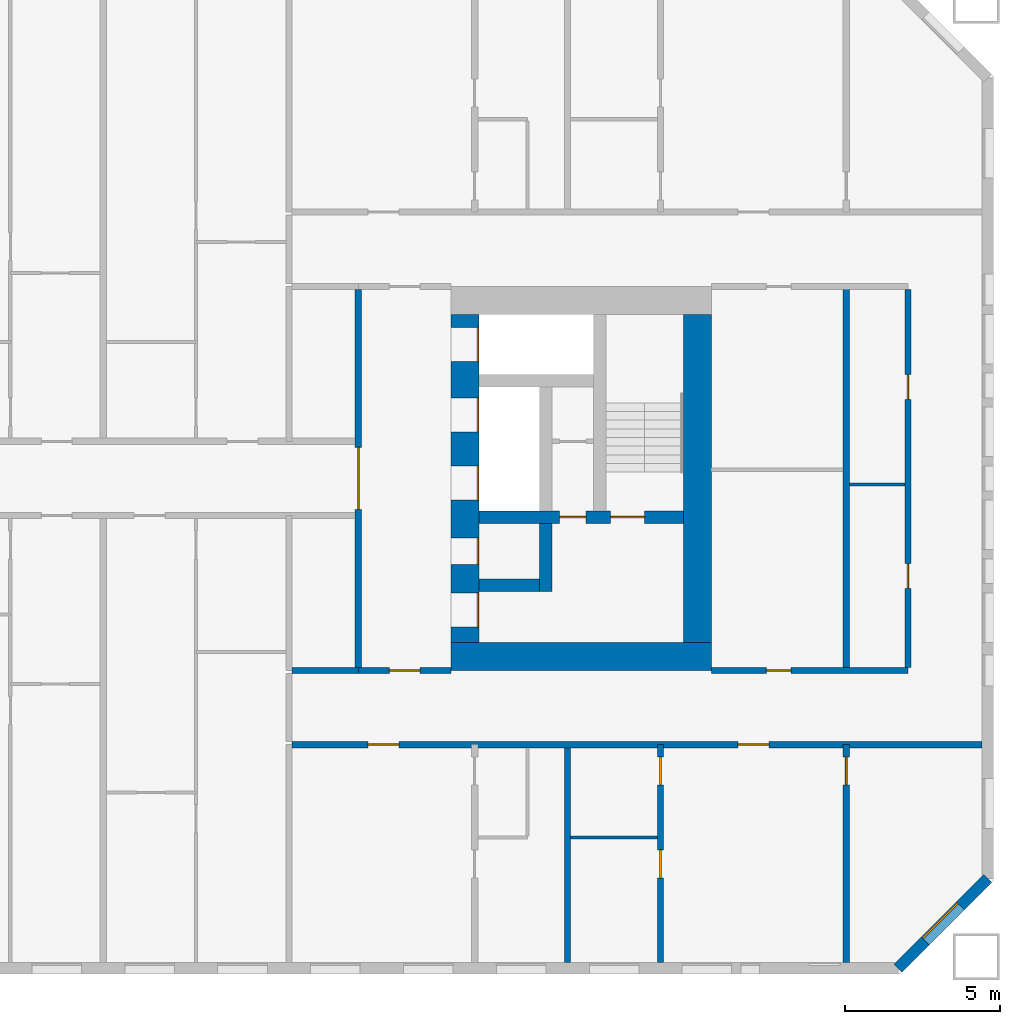
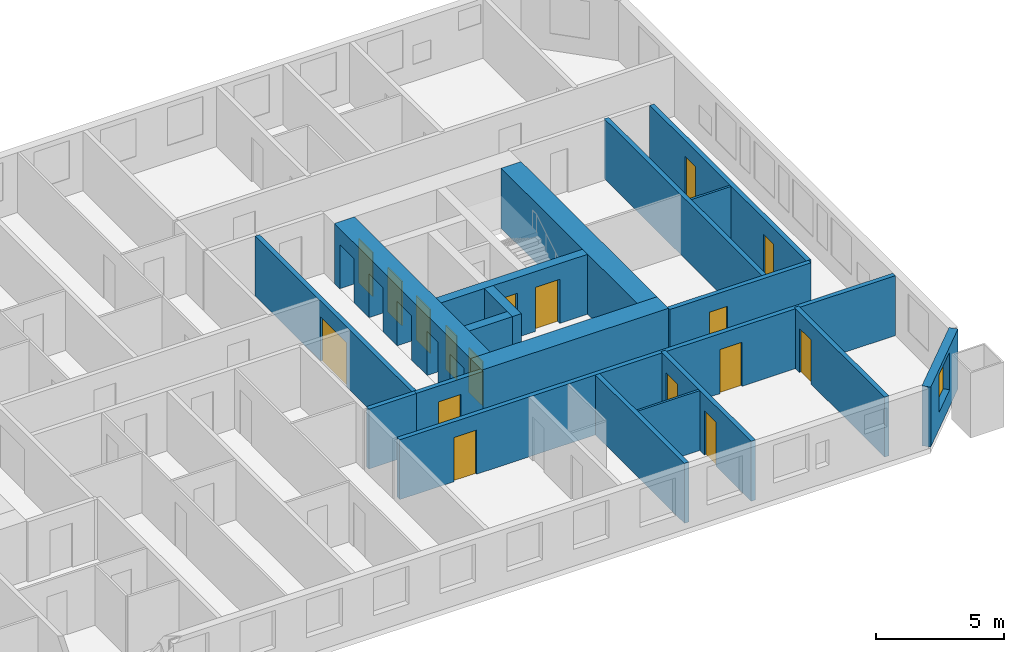
# One storey, part 12 of 17: 19 walls, 17 doors, 1 window, 18 openings.
"""IFC4 building model written with IfcOpenShell, lengths in metres."""

from ifc_helpers import new_model, si_unit, direction, frame, frame_2d, origin, place, context, subcontext, project, spatial, rectangle, extrude, material, layer, layer_set, type_object, element, fill, save


model = new_model("IFC4")

# Units and contexts
model_context = context("Model", 3, precision=1e-05, world=origin(), true_north=direction((0.0, 1.0)))
body_context = subcontext(model_context, "Body", "Model", "MODEL_VIEW")
ifc_project = project(units=[si_unit("LENGTHUNIT", "METRE"), si_unit("AREAUNIT", "SQUARE_METRE"), si_unit("VOLUMEUNIT", "CUBIC_METRE"), si_unit("PLANEANGLEUNIT", "RADIAN"), si_unit("MASSUNIT", "GRAM", prefix="KILO")], contexts=[model_context])

# Site, building, storey
site_placement = place(None, origin())
site = spatial("IfcSite", under=ifc_project, at=site_placement, CompositionType="ELEMENT")
building_placement = place(site_placement, origin())
building = spatial("IfcBuilding", under=site, at=building_placement, Name="Tuart Gate Housing", CompositionType="ELEMENT")
storey_placement = place(building_placement, frame((0.0, 0.0, 22.60009765625)))
storey = spatial("IfcBuildingStorey", under=building, at=storey_placement, Name="L05", CompositionType="ELEMENT", Elevation=22.60009765625)

# Wall, opening, window
ifc_material_1 = material(Name="Brick", Category="masonry")
ifc_layer_1 = layer(ifc_material_1, 0.360107421875)
ifc_layer_set_1 = layer_set([ifc_layer_1], Name="Brick pier and spandrel wall 360")
wall_type_1 = type_object("IfcWallType", Name="Brick pier and spandrel wall 360", PredefinedType="STANDARD", material=ifc_layer_set_1)
wall_1_placement = place(storey_placement, frame((174.67529296875, 54.179931640625, 0.0), z_axis=(0.0, 0.0, 1.0), x_axis=(0.707106781187, 0.707106781187, 0.0)))
wall_1 = element("IfcWall", 1, at=wall_1_placement, inside=storey, type_object=wall_type_1, Name="External wall B-SE L05", PredefinedType="STANDARD", context=body_context, shape_type="SweptSolid", body=[
    extrude(rectangle(XDim=4.09375, YDim=0.360107421875, at=frame_2d((2.046875, 0.0))), origin(), (0.0, 0.0, 1.0), 2.849853515625),
])
opening_1_placement = place(wall_1_placement, frame((1.2470703125, 0.0, 0.800048828125)))
opening_1 = element("IfcOpeningElement", 2, at=opening_1_placement, cuts=wall_1, Name="Opening W1", PredefinedType="OPENING", context=body_context, shape_type="SweptSolid", body=[
    extrude(rectangle(XDim=1.60009765625, YDim=1.800048828125, at=frame_2d((0.800048828125, 0.89990234375))), frame((0.0, 0.18994140625, 0.0), z_axis=(0.0, -1.0, 0.0), x_axis=(1.0, 0.0, 0.0)), (0.0, 0.0, 1.0), 0.380126953125),
])
ifc_material_2 = material(Name="Aluminium frame with clear glass", Category="aluminium")
window_type = type_object("IfcWindowType", Name="Punched window 1600 x 1800", PartitioningType="SINGLE_PANEL", PredefinedType="WINDOW", material=ifc_material_2)
window_placement = place(opening_1_placement, origin())
window = element("IfcWindow", 3, at=window_placement, inside=storey, type_object=window_type, Name="Window W1", OverallHeight=1.800048828125, OverallWidth=1.60009765625, PartitioningType="SINGLE_PANEL", PredefinedType="WINDOW", context=body_context, shape_type="SweptSolid", body=[
    extrude(rectangle(XDim=1.60009765625, YDim=1.800048828125, at=frame_2d((0.800048828125, 0.89990234375))), frame((0.0, 0.150146484375, 0.0), z_axis=(0.0, -1.0, 0.0), x_axis=(1.0, 0.0, 0.0)), (0.0, 0.0, 1.0), 0.06005859375),
])
fill(opening_1, window)

# Wall, openings, doors
ifc_material_3 = material(Name="Concrete C60", Category="concrete")
ifc_layer_2 = layer(ifc_material_3, 0.39990234375)
ifc_layer_set_2 = layer_set([ifc_layer_2], Name="Core wall 400 C60")
wall_type_2 = type_object("IfcWallType", Name="Core wall 400 C60", PredefinedType="SHEAR", material=ifc_layer_set_2)
wall_2_placement = place(storey_placement, frame((161.139892578125, 68.75, 0.0), z_axis=(0.0, 0.0, 1.0), x_axis=(1.0, 0.0, 0.0)))
wall_2 = element("IfcWall", 4, at=wall_2_placement, inside=storey, type_object=wall_type_2, Name="Core wall BK.3", PredefinedType="SHEAR", context=body_context, shape_type="SweptSolid", body=[
    extrude(rectangle(XDim=6.60009765625, YDim=0.39990234375, at=frame_2d((3.300048828125, 0.0))), origin(), (0.0, 0.0, 1.0), 2.849853515625),
])
opening_2_placement = place(wall_2_placement, frame((4.25, 0.0, 0.0)))
opening_2 = element("IfcOpeningElement", 5, at=opening_2_placement, cuts=wall_2, Name="Opening D446", PredefinedType="OPENING", context=body_context, shape_type="SweptSolid", body=[
    extrude(rectangle(XDim=1.10009765625, YDim=2.10009765625, at=frame_2d((0.550048828125, 1.050048828125))), frame((0.0, 0.2099609375, 0.0), z_axis=(0.0, -1.0, 0.0), x_axis=(1.0, 0.0, 0.0)), (0.0, 0.0, 1.0), 0.419921875),
])
opening_3_placement = place(wall_2_placement, frame((2.60009765625, 0.0, 0.0)))
opening_3 = element("IfcOpeningElement", 6, at=opening_3_placement, cuts=wall_2, Name="Opening D445", PredefinedType="OPENING", context=body_context, shape_type="SweptSolid", body=[
    extrude(rectangle(XDim=0.85009765625, YDim=2.10009765625, at=frame_2d((0.425048828125, 1.050048828125))), frame((0.0, 0.2099609375, 0.0), z_axis=(0.0, -1.0, 0.0), x_axis=(1.0, 0.0, 0.0)), (0.0, 0.0, 1.0), 0.419921875),
])
ifc_material_4 = material(Name="Steel fire door", Category="steel")
door_type_1 = type_object("IfcDoorType", Name="Riser door 850 x 2100", OperationType="SINGLE_SWING_LEFT", PredefinedType="DOOR", material=ifc_material_4)
door_1_placement = place(opening_3_placement, origin())
door_1 = element("IfcDoor", 7, at=door_1_placement, inside=storey, type_object=door_type_1, Name="Service room door BK.W1", OperationType="SINGLE_SWING_LEFT", OverallHeight=2.10009765625, OverallWidth=0.85009765625, PredefinedType="DOOR", context=body_context, shape_type="SweptSolid", body=[
    extrude(rectangle(XDim=0.85009765625, YDim=2.10009765625, at=frame_2d((0.425048828125, 1.050048828125))), frame((0.0, 0.02490234375, 0.0), z_axis=(0.0, -1.0, 0.0), x_axis=(1.0, 0.0, 0.0)), (0.0, 0.0, 1.0), 0.050048828125),
])
fill(opening_3, door_1)
ifc_material_5 = material(Name="Steel fire door", Category="steel")
door_type_2 = type_object("IfcDoorType", Name="Stair door 1100 x 2100", OperationType="SINGLE_SWING_LEFT", PredefinedType="DOOR", material=ifc_material_5)
door_2_placement = place(opening_2_placement, origin())
door_2 = element("IfcDoor", 8, at=door_2_placement, inside=storey, type_object=door_type_2, Name="Stair door BK.SD", OperationType="SINGLE_SWING_LEFT", OverallHeight=2.10009765625, OverallWidth=1.10009765625, PredefinedType="DOOR", context=body_context, shape_type="SweptSolid", body=[
    extrude(rectangle(XDim=1.10009765625, YDim=2.10009765625, at=frame_2d((0.550048828125, 1.050048828125))), frame((0.0, 0.02490234375, 0.0), z_axis=(0.0, -1.0, 0.0), x_axis=(1.0, 0.0, 0.0)), (0.0, 0.0, 1.0), 0.050048828125),
])
fill(opening_2, door_2)

# Walls
wall_3_placement = place(storey_placement, frame((161.139892578125, 66.550048828125, 0.0), z_axis=(0.0, 0.0, 1.0), x_axis=(1.0, 0.0, 0.0)))
element("IfcWall", 9, at=wall_3_placement, inside=storey, type_object=wall_type_2, Name="Core wall BK.4", PredefinedType="SHEAR", context=body_context, shape_type="SweptSolid", body=[
    extrude(rectangle(XDim=1.9501953125, YDim=0.39990234375, at=frame_2d((0.97509765625, 0.0))), origin(), (0.0, 0.0, 1.0), 2.849853515625),
])
wall_4_placement = place(storey_placement, frame((163.2900390625, 68.550048828125, 0.0), z_axis=(0.0, 0.0, 1.0), x_axis=(0.0, -1.0, 0.0)))
element("IfcWall", 10, at=wall_4_placement, inside=storey, type_object=wall_type_2, Name="Core wall BK.6", PredefinedType="SHEAR", context=body_context, shape_type="SweptSolid", body=[
    extrude(rectangle(XDim=2.199951171875, YDim=0.39990234375, at=frame_2d((1.10009765625, 0.0))), origin(), (0.0, 0.0, 1.0), 2.849853515625),
])

# Wall, openings, doors
ifc_material_6 = material(Name="Concrete C60", Category="concrete")
ifc_layer_3 = layer(ifc_material_6, 0.89990234375)
ifc_layer_set_3 = layer_set([ifc_layer_3], Name="Core wall 900 C60")
wall_type_3 = type_object("IfcWallType", Name="Core wall 900 C60", PredefinedType="SHEAR", material=ifc_layer_set_3)
wall_5_placement = place(storey_placement, frame((160.68994140625, 75.300048828125, 0.0), z_axis=(0.0, 0.0, 1.0), x_axis=(0.0, -1.0, 0.0)))
wall_5 = element("IfcWall", 11, at=wall_5_placement, inside=storey, type_object=wall_type_3, Name="Core wall BK front", PredefinedType="SHEAR", context=body_context, shape_type="SweptSolid", body=[
    extrude(rectangle(XDim=10.60009765625, YDim=0.89990234375, at=frame_2d((5.300048828125, 0.0))), origin(), (0.0, 0.0, 1.0), 2.849853515625),
])
opening_4_placement = place(wall_5_placement, frame((0.425048828125, 0.0, 0.0)))
opening_4 = element("IfcOpeningElement", 12, at=opening_4_placement, cuts=wall_5, Name="Opening LD-FB2", PredefinedType="OPENING", context=body_context, shape_type="SweptSolid", body=[
    extrude(rectangle(XDim=1.10009765625, YDim=2.10009765625, at=frame_2d((0.550048828125, 1.050048828125))), frame((0.0, 0.4599609375, 0.0), z_axis=(0.0, -1.0, 0.0), x_axis=(1.0, 0.0, 0.0)), (0.0, 0.0, 1.0), 0.919921875),
])
opening_5_placement = place(wall_5_placement, frame((2.699951171875, 0.0, 0.0)))
opening_5 = element("IfcOpeningElement", 13, at=opening_5_placement, cuts=wall_5, Name="Opening LD-LB3", PredefinedType="OPENING", context=body_context, shape_type="SweptSolid", body=[
    extrude(rectangle(XDim=1.10009765625, YDim=2.10009765625, at=frame_2d((0.550048828125, 1.050048828125))), frame((0.0, 0.4599609375, 0.0), z_axis=(0.0, -1.0, 0.0), x_axis=(1.0, 0.0, 0.0)), (0.0, 0.0, 1.0), 0.919921875),
])
opening_6_placement = place(wall_5_placement, frame((4.89990234375, 0.0, 0.0)))
opening_6 = element("IfcOpeningElement", 14, at=opening_6_placement, cuts=wall_5, Name="Opening LD-LB4", PredefinedType="OPENING", context=body_context, shape_type="SweptSolid", body=[
    extrude(rectangle(XDim=1.10009765625, YDim=2.10009765625, at=frame_2d((0.550048828125, 1.050048828125))), frame((0.0, 0.4599609375, 0.0), z_axis=(0.0, -1.0, 0.0), x_axis=(1.0, 0.0, 0.0)), (0.0, 0.0, 1.0), 0.919921875),
])
opening_7_placement = place(wall_5_placement, frame((9.0, 0.0, 0.0)))
opening_7 = element("IfcOpeningElement", 15, at=opening_7_placement, cuts=wall_5, Name="Opening D439", PredefinedType="OPENING", context=body_context, shape_type="SweptSolid", body=[
    extrude(rectangle(XDim=1.10009765625, YDim=2.10009765625, at=frame_2d((0.550048828125, 1.050048828125))), frame((0.0, 0.4599609375, 0.0), z_axis=(0.0, -1.0, 0.0), x_axis=(1.0, 0.0, 0.0)), (0.0, 0.0, 1.0), 0.919921875),
])
opening_8_placement = place(wall_5_placement, frame((7.22509765625, 0.0, 0.0)))
opening_8 = element("IfcOpeningElement", 16, at=opening_8_placement, cuts=wall_5, Name="Opening D440", PredefinedType="OPENING", context=body_context, shape_type="SweptSolid", body=[
    extrude(rectangle(XDim=0.85009765625, YDim=2.10009765625, at=frame_2d((0.425048828125, 1.050048828125))), frame((0.0, 0.4599609375, 0.0), z_axis=(0.0, -1.0, 0.0), x_axis=(1.0, 0.0, 0.0)), (0.0, 0.0, 1.0), 0.919921875),
])
ifc_material_7 = material(Name="Stainless steel", Category="steel")
door_type_3 = type_object("IfcDoorType", Name="Landing door 1100 x 2100", OperationType="DOUBLE_DOOR_SLIDING", PredefinedType="DOOR", material=ifc_material_7)
door_3_placement = place(opening_4_placement, origin())
door_3 = element("IfcDoor", 17, at=door_3_placement, inside=storey, type_object=door_type_3, Name="Lift landing door FB2", OperationType="DOUBLE_DOOR_SLIDING", OverallHeight=2.10009765625, OverallWidth=1.10009765625, PredefinedType="DOOR", context=body_context, shape_type="SweptSolid", body=[
    extrude(rectangle(XDim=1.10009765625, YDim=2.10009765625, at=frame_2d((0.550048828125, 1.050048828125))), frame((0.0, 0.43505859375, 0.0), z_axis=(0.0, -1.0, 0.0), x_axis=(1.0, 0.0, 0.0)), (0.0, 0.0, 1.0), 0.050048828125),
])
fill(opening_4, door_3)
door_4_placement = place(opening_5_placement, origin())
door_4 = element("IfcDoor", 18, at=door_4_placement, inside=storey, type_object=door_type_3, Name="Lift landing door LB3", OperationType="DOUBLE_DOOR_SLIDING", OverallHeight=2.10009765625, OverallWidth=1.10009765625, PredefinedType="DOOR", context=body_context, shape_type="SweptSolid", body=[
    extrude(rectangle(XDim=1.10009765625, YDim=2.10009765625, at=frame_2d((0.550048828125, 1.050048828125))), frame((0.0, 0.43505859375, 0.0), z_axis=(0.0, -1.0, 0.0), x_axis=(1.0, 0.0, 0.0)), (0.0, 0.0, 1.0), 0.050048828125),
])
fill(opening_5, door_4)
door_5_placement = place(opening_6_placement, origin())
door_5 = element("IfcDoor", 19, at=door_5_placement, inside=storey, type_object=door_type_3, Name="Lift landing door LB4", OperationType="DOUBLE_DOOR_SLIDING", OverallHeight=2.10009765625, OverallWidth=1.10009765625, PredefinedType="DOOR", context=body_context, shape_type="SweptSolid", body=[
    extrude(rectangle(XDim=1.10009765625, YDim=2.10009765625, at=frame_2d((0.550048828125, 1.050048828125))), frame((0.0, 0.43505859375, 0.0), z_axis=(0.0, -1.0, 0.0), x_axis=(1.0, 0.0, 0.0)), (0.0, 0.0, 1.0), 0.050048828125),
])
fill(opening_6, door_5)
ifc_material_8 = material(Name="Steel fire door", Category="steel")
door_type_4 = type_object("IfcDoorType", Name="Lobby door 1100 x 2100", OperationType="SINGLE_SWING_LEFT", PredefinedType="DOOR", material=ifc_material_8)
door_6_placement = place(opening_7_placement, origin())
door_6 = element("IfcDoor", 20, at=door_6_placement, inside=storey, type_object=door_type_4, Name="Lobby entry door BK.EN", OperationType="SINGLE_SWING_LEFT", OverallHeight=2.10009765625, OverallWidth=1.10009765625, PredefinedType="DOOR", context=body_context, shape_type="SweptSolid", body=[
    extrude(rectangle(XDim=1.10009765625, YDim=2.10009765625, at=frame_2d((0.550048828125, 1.050048828125))), frame((0.0, 0.43505859375, 0.0), z_axis=(0.0, -1.0, 0.0), x_axis=(1.0, 0.0, 0.0)), (0.0, 0.0, 1.0), 0.050048828125),
])
fill(opening_7, door_6)
ifc_material_9 = material(Name="Steel fire door", Category="steel")
door_type_5 = type_object("IfcDoorType", Name="Service door 850 x 2100", OperationType="SINGLE_SWING_LEFT", PredefinedType="DOOR", material=ifc_material_9)
door_7_placement = place(opening_8_placement, origin())
door_7 = element("IfcDoor", 21, at=door_7_placement, inside=storey, type_object=door_type_5, Name="Service room door BK.T1", OperationType="SINGLE_SWING_LEFT", OverallHeight=2.10009765625, OverallWidth=0.85009765625, PredefinedType="DOOR", context=body_context, shape_type="SweptSolid", body=[
    extrude(rectangle(XDim=0.85009765625, YDim=2.10009765625, at=frame_2d((0.425048828125, 1.050048828125))), frame((0.0, 0.43505859375, 0.0), z_axis=(0.0, -1.0, 0.0), x_axis=(1.0, 0.0, 0.0)), (0.0, 0.0, 1.0), 0.050048828125),
])
fill(opening_8, door_7)

# Walls
wall_6_placement = place(storey_placement, frame((168.18994140625, 75.300048828125, 0.0), z_axis=(0.0, 0.0, 1.0), x_axis=(0.0, -1.0, 0.0)))
element("IfcWall", 22, at=wall_6_placement, inside=storey, type_object=wall_type_3, Name="Core wall BK back", PredefinedType="SHEAR", context=body_context, shape_type="SweptSolid", body=[
    extrude(rectangle(XDim=10.60009765625, YDim=0.89990234375, at=frame_2d((5.300048828125, 0.0))), origin(), (0.0, 0.0, 1.0), 2.849853515625),
])
wall_7_placement = place(storey_placement, frame((160.239990234375, 64.25, 0.0), z_axis=(0.0, 0.0, 1.0), x_axis=(1.0, 0.0, 0.0)))
element("IfcWall", 23, at=wall_7_placement, inside=storey, type_object=wall_type_3, Name="Core wall BK north", PredefinedType="SHEAR", context=body_context, shape_type="SweptSolid", body=[
    extrude(rectangle(XDim=8.39990234375, YDim=0.89990234375, at=frame_2d((4.199951171875, 0.0))), origin(), (0.0, 0.0, 1.0), 2.849853515625),
])

# Wall, openings, doors
ifc_material_10 = material(Name="Concrete masonry 15 MPa", Category="masonry")
ifc_layer_4 = layer(ifc_material_10, 0.199951171875)
ifc_layer_set_4 = layer_set([ifc_layer_4], Name="Corridor wall masonry 200")
wall_type_4 = type_object("IfcWallType", Name="Corridor wall masonry 200", PredefinedType="PARTITIONING", material=ifc_layer_set_4)
wall_8_placement = place(storey_placement, frame((155.10009765625, 61.39990234375, 0.0), z_axis=(0.0, 0.0, 1.0), x_axis=(1.0, 0.0, 0.0)))
wall_8 = element("IfcWall", 24, at=wall_8_placement, inside=storey, type_object=wall_type_4, Name="Corridor wall masonry 200", PredefinedType="PARTITIONING", context=body_context, shape_type="SweptSolid", body=[
    extrude(rectangle(XDim=22.289794921875, YDim=0.199951171875, at=frame_2d((11.14501953125, 0.0))), origin(), (0.0, 0.0, 1.0), 2.849853515625),
])
opening_9_placement = place(wall_8_placement, frame((2.449951171875, 0.0, 0.0)))
opening_9 = element("IfcOpeningElement", 25, at=opening_9_placement, cuts=wall_8, Name="Opening D455", PredefinedType="OPENING", context=body_context, shape_type="SweptSolid", body=[
    extrude(rectangle(XDim=1.0, YDim=2.10009765625, at=frame_2d((0.5, 1.050048828125))), frame((0.0, 0.10986328125, 0.0), z_axis=(0.0, -1.0, 0.0), x_axis=(1.0, 0.0, 0.0)), (0.0, 0.0, 1.0), 0.219970703125),
])
opening_10_placement = place(wall_8_placement, frame((14.39990234375, 0.0, 0.0)))
opening_10 = element("IfcOpeningElement", 26, at=opening_10_placement, cuts=wall_8, Name="Opening D456", PredefinedType="OPENING", context=body_context, shape_type="SweptSolid", body=[
    extrude(rectangle(XDim=1.0, YDim=2.10009765625, at=frame_2d((0.5, 1.050048828125))), frame((0.0, 0.10986328125, 0.0), z_axis=(0.0, -1.0, 0.0), x_axis=(1.0, 0.0, 0.0)), (0.0, 0.0, 1.0), 0.219970703125),
])
ifc_material_11 = material(Name="Timber door leaf in steel frame", Category="steel")
door_type_6 = type_object("IfcDoorType", Name="Flat entrance door 1000", OperationType="SINGLE_SWING_LEFT", PredefinedType="DOOR", material=ifc_material_11)
door_8_placement = place(opening_9_placement, frame((1.0, 0.0, 0.0), z_axis=(0.0, 0.0, 1.0), x_axis=(-1.0, 0.0, 0.0)))
door_8 = element("IfcDoor", 27, at=door_8_placement, inside=storey, type_object=door_type_6, Name="Flat entrance door", OperationType="SINGLE_SWING_LEFT", OverallHeight=2.10009765625, OverallWidth=1.0, PredefinedType="DOOR", context=body_context, shape_type="SweptSolid", body=[
    extrude(rectangle(XDim=1.0, YDim=2.10009765625, at=frame_2d((0.5, 1.050048828125))), frame((0.0, 0.025146484375, 0.0), z_axis=(0.0, -1.0, 0.0), x_axis=(1.0, 0.0, 0.0)), (0.0, 0.0, 1.0), 0.050048828125),
])
fill(opening_9, door_8)
ifc_material_12 = material(Name="Timber door leaf in steel frame", Category="steel")
door_type_7 = type_object("IfcDoorType", Name="Flat entrance door 1000 RH", OperationType="SINGLE_SWING_RIGHT", PredefinedType="DOOR", material=ifc_material_12)
door_9_placement = place(opening_10_placement, frame((1.0, 0.0, 0.0), z_axis=(0.0, 0.0, 1.0), x_axis=(-1.0, 0.0, 0.0)))
door_9 = element("IfcDoor", 28, at=door_9_placement, inside=storey, type_object=door_type_7, Name="Flat entrance door", OperationType="SINGLE_SWING_RIGHT", OverallHeight=2.10009765625, OverallWidth=1.0, PredefinedType="DOOR", context=body_context, shape_type="SweptSolid", body=[
    extrude(rectangle(XDim=1.0, YDim=2.10009765625, at=frame_2d((0.5, 1.050048828125))), frame((0.0, 0.025146484375, 0.0), z_axis=(0.0, -1.0, 0.0), x_axis=(1.0, 0.0, 0.0)), (0.0, 0.0, 1.0), 0.050048828125),
])
fill(opening_10, door_9)

# Wall
wall_9_placement = place(storey_placement, frame((155.10009765625, 63.800048828125, 0.0), z_axis=(0.0, 0.0, 1.0), x_axis=(1.0, 0.0, 0.0)))
element("IfcWall", 29, at=wall_9_placement, inside=storey, type_object=wall_type_4, Name="Corridor wall masonry 200", PredefinedType="PARTITIONING", context=body_context, shape_type="SweptSolid", body=[
    extrude(rectangle(XDim=2.139892578125, YDim=0.199951171875, at=frame_2d((1.06982421875, 0.0))), origin(), (0.0, 0.0, 1.0), 2.849853515625),
])

# Wall, opening, door
wall_10_placement = place(storey_placement, frame((168.639892578125, 63.800048828125, 0.0), z_axis=(0.0, 0.0, 1.0), x_axis=(1.0, 0.0, 0.0)))
wall_10 = element("IfcWall", 30, at=wall_10_placement, inside=storey, type_object=wall_type_4, Name="Corridor wall masonry 200", PredefinedType="PARTITIONING", context=body_context, shape_type="SweptSolid", body=[
    extrude(rectangle(XDim=6.35009765625, YDim=0.199951171875, at=frame_2d((3.175048828125, 0.0))), origin(), (0.0, 0.0, 1.0), 2.849853515625),
])
opening_11_placement = place(wall_10_placement, frame((1.780029296875, 0.0, 0.0)))
opening_11 = element("IfcOpeningElement", 31, at=opening_11_placement, cuts=wall_10, Name="Opening D449", PredefinedType="OPENING", context=body_context, shape_type="SweptSolid", body=[
    extrude(rectangle(XDim=0.800048828125, YDim=2.10009765625, at=frame_2d((0.39990234375, 1.050048828125))), frame((0.0, 0.10986328125, 0.0), z_axis=(0.0, -1.0, 0.0), x_axis=(1.0, 0.0, 0.0)), (0.0, 0.0, 1.0), 0.219970703125),
])
ifc_material_13 = material(Name="Timber door leaf in steel frame", Category="steel")
door_type_8 = type_object("IfcDoorType", Name="Store door 800", OperationType="SINGLE_SWING_LEFT", PredefinedType="DOOR", material=ifc_material_13)
door_10_placement = place(opening_11_placement, origin())
door_10 = element("IfcDoor", 32, at=door_10_placement, inside=storey, type_object=door_type_8, Name="Store door", OperationType="SINGLE_SWING_LEFT", OverallHeight=2.10009765625, OverallWidth=0.800048828125, PredefinedType="DOOR", context=body_context, shape_type="SweptSolid", body=[
    extrude(rectangle(XDim=0.800048828125, YDim=2.10009765625, at=frame_2d((0.39990234375, 1.050048828125))), frame((0.0, 0.02490234375, 0.0), z_axis=(0.0, -1.0, 0.0), x_axis=(1.0, 0.0, 0.0)), (0.0, 0.0, 1.0), 0.050048828125),
])
fill(opening_11, door_10)

# Wall, openings, doors
wall_11_placement = place(storey_placement, frame((174.989990234375, 63.89990234375, 0.0), z_axis=(0.0, 0.0, 1.0), x_axis=(0.0, 1.0, 0.0)))
wall_11 = element("IfcWall", 33, at=wall_11_placement, inside=storey, type_object=wall_type_4, Name="Corridor wall masonry 200", PredefinedType="PARTITIONING", context=body_context, shape_type="SweptSolid", body=[
    extrude(rectangle(XDim=12.2001953125, YDim=0.199951171875, at=frame_2d((6.10009765625, 0.0))), origin(), (0.0, 0.0, 1.0), 2.849853515625),
])
opening_12_placement = place(wall_11_placement, frame((2.550048828125, 0.0, 0.0)))
opening_12 = element("IfcOpeningElement", 34, at=opening_12_placement, cuts=wall_11, Name="Opening D441", PredefinedType="OPENING", context=body_context, shape_type="SweptSolid", body=[
    extrude(rectangle(XDim=0.800048828125, YDim=2.10009765625, at=frame_2d((0.39990234375, 1.050048828125))), frame((0.0, 0.10986328125, 0.0), z_axis=(0.0, -1.0, 0.0), x_axis=(1.0, 0.0, 0.0)), (0.0, 0.0, 1.0), 0.219970703125),
])
opening_13_placement = place(wall_11_placement, frame((8.64990234375, 0.0, 0.0)))
opening_13 = element("IfcOpeningElement", 35, at=opening_13_placement, cuts=wall_11, Name="Opening D442", PredefinedType="OPENING", context=body_context, shape_type="SweptSolid", body=[
    extrude(rectangle(XDim=0.800048828125, YDim=2.10009765625, at=frame_2d((0.39990234375, 1.050048828125))), frame((0.0, 0.10986328125, 0.0), z_axis=(0.0, -1.0, 0.0), x_axis=(1.0, 0.0, 0.0)), (0.0, 0.0, 1.0), 0.219970703125),
])
door_11_placement = place(opening_13_placement, origin())
door_11 = element("IfcDoor", 36, at=door_11_placement, inside=storey, type_object=door_type_8, Name="Store door", OperationType="SINGLE_SWING_LEFT", OverallHeight=2.10009765625, OverallWidth=0.800048828125, PredefinedType="DOOR", context=body_context, shape_type="SweptSolid", body=[
    extrude(rectangle(XDim=0.800048828125, YDim=2.10009765625, at=frame_2d((0.39990234375, 1.050048828125))), frame((0.0, 0.02490234375, 0.0), z_axis=(0.0, -1.0, 0.0), x_axis=(1.0, 0.0, 0.0)), (0.0, 0.0, 1.0), 0.050048828125),
])
fill(opening_13, door_11)
ifc_material_14 = material(Name="Timber door leaf in steel frame", Category="steel")
door_type_9 = type_object("IfcDoorType", Name="Store door 800 RH", OperationType="SINGLE_SWING_RIGHT", PredefinedType="DOOR", material=ifc_material_14)
door_12_placement = place(opening_12_placement, origin())
door_12 = element("IfcDoor", 37, at=door_12_placement, inside=storey, type_object=door_type_9, Name="Store door", OperationType="SINGLE_SWING_RIGHT", OverallHeight=2.10009765625, OverallWidth=0.800048828125, PredefinedType="DOOR", context=body_context, shape_type="SweptSolid", body=[
    extrude(rectangle(XDim=0.800048828125, YDim=2.10009765625, at=frame_2d((0.39990234375, 1.050048828125))), frame((0.0, 0.02490234375, 0.0), z_axis=(0.0, -1.0, 0.0), x_axis=(1.0, 0.0, 0.0)), (0.0, 0.0, 1.0), 0.050048828125),
])
fill(opening_12, door_12)

# Wall, opening, door
ifc_material_15 = material(Name="Concrete masonry 15 MPa", Category="masonry")
ifc_layer_5 = layer(ifc_material_15, 0.199951171875)
ifc_layer_set_5 = layer_set([ifc_layer_5], Name="Enclosure wall masonry 200")
wall_type_5 = type_object("IfcWallType", Name="Enclosure wall masonry 200", PredefinedType="PARTITIONING", material=ifc_layer_set_5)
wall_12_placement = place(storey_placement, frame((157.239990234375, 63.800048828125, 0.0), z_axis=(0.0, 0.0, 1.0), x_axis=(1.0, 0.0, 0.0)))
wall_12 = element("IfcWall", 38, at=wall_12_placement, inside=storey, type_object=wall_type_5, Name="Enclosure wall masonry 200", PredefinedType="PARTITIONING", context=body_context, shape_type="SweptSolid", body=[
    extrude(rectangle(XDim=3.0, YDim=0.199951171875, at=frame_2d((1.5, 0.0))), origin(), (0.0, 0.0, 1.0), 2.849853515625),
])
opening_14_placement = place(wall_12_placement, frame((1.0, 0.0, 0.0)))
opening_14 = element("IfcOpeningElement", 39, at=opening_14_placement, cuts=wall_12, Name="Opening D448", PredefinedType="OPENING", context=body_context, shape_type="SweptSolid", body=[
    extrude(rectangle(XDim=1.0, YDim=2.10009765625, at=frame_2d((0.5, 1.050048828125))), frame((0.0, 0.10986328125, 0.0), z_axis=(0.0, -1.0, 0.0), x_axis=(1.0, 0.0, 0.0)), (0.0, 0.0, 1.0), 0.219970703125),
])
ifc_material_16 = material(Name="Timber door leaf in steel frame", Category="steel")
door_type_10 = type_object("IfcDoorType", Name="Fire door 1000 RH", OperationType="SINGLE_SWING_RIGHT", PredefinedType="DOOR", material=ifc_material_16)
door_13_placement = place(opening_14_placement, frame((1.0, 0.0, 0.0), z_axis=(0.0, 0.0, 1.0), x_axis=(-1.0, 0.0, 0.0)))
door_13 = element("IfcDoor", 40, at=door_13_placement, inside=storey, type_object=door_type_10, Name="Fire door", OperationType="SINGLE_SWING_RIGHT", OverallHeight=2.10009765625, OverallWidth=1.0, PredefinedType="DOOR", context=body_context, shape_type="SweptSolid", body=[
    extrude(rectangle(XDim=1.0, YDim=2.10009765625, at=frame_2d((0.5, 1.050048828125))), frame((0.0, 0.025146484375, 0.0), z_axis=(0.0, -1.0, 0.0), x_axis=(1.0, 0.0, 0.0)), (0.0, 0.0, 1.0), 0.050048828125),
])
fill(opening_14, door_13)

ifc_material_17 = material(Name="Plasterboard partition")
ifc_layer_6 = layer(ifc_material_17, 0.199951171875)
ifc_layer_set_6 = layer_set([ifc_layer_6], Name="Lobby wall 200")
wall_type_6 = type_object("IfcWallType", Name="Lobby wall 200", PredefinedType="PARTITIONING", material=ifc_layer_set_6)
wall_13_placement = place(storey_placement, frame((157.239990234375, 63.89990234375, 0.0), z_axis=(0.0, 0.0, 1.0), x_axis=(0.0, 1.0, 0.0)))
wall_13 = element("IfcWall", 41, at=wall_13_placement, inside=storey, type_object=wall_type_6, Name="Lift lobby wall BK", PredefinedType="PARTITIONING", context=body_context, shape_type="SweptSolid", body=[
    extrude(rectangle(XDim=12.2001953125, YDim=0.199951171875, at=frame_2d((6.10009765625, 0.0))), origin(), (0.0, 0.0, 1.0), 2.849853515625),
])
opening_15_placement = place(wall_13_placement, frame((5.10009765625, 0.0, 0.0)))
opening_15 = element("IfcOpeningElement", 42, at=opening_15_placement, cuts=wall_13, Name="Opening D438", PredefinedType="OPENING", context=body_context, shape_type="SweptSolid", body=[
    extrude(rectangle(XDim=2.0, YDim=2.10009765625, at=frame_2d((1.0, 1.050048828125))), frame((0.0, 0.10986328125, 0.0), z_axis=(0.0, -1.0, 0.0), x_axis=(1.0, 0.0, 0.0)), (0.0, 0.0, 1.0), 0.219970703125),
])
ifc_material_18 = material(Name="Steel fire door", Category="steel")
door_type_11 = type_object("IfcDoorType", Name="Smoke door 2000 x 2100", OperationType="DOUBLE_DOOR_SINGLE_SWING", PredefinedType="DOOR", material=ifc_material_18)
door_14_placement = place(opening_15_placement, frame((2.0, 0.0, 0.0), z_axis=(0.0, 0.0, 1.0), x_axis=(-1.0, 0.0, 0.0)))
door_14 = element("IfcDoor", 43, at=door_14_placement, inside=storey, type_object=door_type_11, Name="Lift lobby smoke door BK", OperationType="DOUBLE_DOOR_SINGLE_SWING", OverallHeight=2.10009765625, OverallWidth=2.0, PredefinedType="DOOR", context=body_context, shape_type="SweptSolid", body=[
    extrude(rectangle(XDim=2.0, YDim=2.10009765625, at=frame_2d((1.0, 1.050048828125))), frame((0.0, 0.025146484375, 0.0), z_axis=(0.0, -1.0, 0.0), x_axis=(1.0, 0.0, 0.0)), (0.0, 0.0, 1.0), 0.050048828125),
])
fill(opening_15, door_14)

# Walls
ifc_material_19 = material(Name="Gypsum board on steel studs", Category="steel")
ifc_layer_7 = layer(ifc_material_19, 0.10009765625)
ifc_layer_set_7 = layer_set([ifc_layer_7], Name="Partition 100")
wall_type_7 = type_object("IfcWallType", Name="Partition 100", PredefinedType="PARTITIONING", material=ifc_layer_set_7)
wall_14_placement = place(storey_placement, frame((164.10009765625, 58.39990234375, 0.0), z_axis=(0.0, 0.0, 1.0), x_axis=(1.0, 0.0, 0.0)))
element("IfcWall", 44, at=wall_14_placement, inside=storey, type_object=wall_type_7, Name="Partition 100", PredefinedType="PARTITIONING", context=body_context, shape_type="SweptSolid", body=[
    extrude(rectangle(XDim=2.7998046875, YDim=0.10009765625, at=frame_2d((1.39990234375, 0.0))), origin(), (0.0, 0.0, 1.0), 2.849853515625),
])
wall_15_placement = place(storey_placement, frame((173.10009765625, 69.800048828125, 0.0), z_axis=(0.0, 0.0, 1.0), x_axis=(1.0, 0.0, 0.0)))
element("IfcWall", 45, at=wall_15_placement, inside=storey, type_object=wall_type_7, Name="Partition 100", PredefinedType="PARTITIONING", context=body_context, shape_type="SweptSolid", body=[
    extrude(rectangle(XDim=1.789794921875, YDim=0.10009765625, at=frame_2d((0.89501953125, 0.0))), origin(), (0.0, 0.0, 1.0), 2.849853515625),
])

# Wall, openings, doors
ifc_material_20 = material(Name="Concrete C40", Category="concrete")
ifc_layer_8 = layer(ifc_material_20, 0.199951171875)
ifc_layer_set_8 = layer_set([ifc_layer_8], Name="Party wall concrete C40 200")
wall_type_8 = type_object("IfcWallType", Name="Party wall concrete C40 200", PredefinedType="SOLIDWALL", material=ifc_layer_set_8)
wall_16_placement = place(storey_placement, frame((167.0, 54.360107421875, 0.0), z_axis=(0.0, 0.0, 1.0), x_axis=(0.0, 1.0, 0.0)))
wall_16 = element("IfcWall", 46, at=wall_16_placement, inside=storey, type_object=wall_type_8, Name="Party wall concrete C40 200", PredefinedType="SOLIDWALL", context=body_context, shape_type="SweptSolid", body=[
    extrude(rectangle(XDim=7.039794921875, YDim=0.199951171875, at=frame_2d((3.52001953125, 0.0))), origin(), (0.0, 0.0, 1.0), 2.849853515625),
])
opening_16_placement = place(wall_16_placement, frame((2.739990234375, 0.0, 0.0)))
opening_16 = element("IfcOpeningElement", 47, at=opening_16_placement, cuts=wall_16, Name="Opening D465", PredefinedType="OPENING", context=body_context, shape_type="SweptSolid", body=[
    extrude(rectangle(XDim=0.89990234375, YDim=2.10009765625, at=frame_2d((0.449951171875, 1.050048828125))), frame((0.0, 0.10986328125, 0.0), z_axis=(0.0, -1.0, 0.0), x_axis=(1.0, 0.0, 0.0)), (0.0, 0.0, 1.0), 0.219970703125),
])
opening_17_placement = place(wall_16_placement, frame((5.739990234375, 0.0, 0.0)))
opening_17 = element("IfcOpeningElement", 48, at=opening_17_placement, cuts=wall_16, Name="Opening D464", PredefinedType="OPENING", context=body_context, shape_type="SweptSolid", body=[
    extrude(rectangle(XDim=0.89990234375, YDim=2.10009765625, at=frame_2d((0.449951171875, 1.050048828125))), frame((0.0, 0.10986328125, 0.0), z_axis=(0.0, -1.0, 0.0), x_axis=(1.0, 0.0, 0.0)), (0.0, 0.0, 1.0), 0.219970703125),
])
ifc_material_21 = material(Name="Timber door leaf in steel frame", Category="steel")
door_type_12 = type_object("IfcDoorType", Name="Bathroom door 900 RH", OperationType="SINGLE_SWING_RIGHT", PredefinedType="DOOR", material=ifc_material_21)
door_15_placement = place(opening_17_placement, origin())
door_15 = element("IfcDoor", 49, at=door_15_placement, inside=storey, type_object=door_type_12, Name="Bathroom door", OperationType="SINGLE_SWING_RIGHT", OverallHeight=2.10009765625, OverallWidth=0.89990234375, PredefinedType="DOOR", context=body_context, shape_type="SweptSolid", body=[
    extrude(rectangle(XDim=0.89990234375, YDim=2.10009765625, at=frame_2d((0.449951171875, 1.050048828125))), frame((0.0, 0.02490234375, 0.0), z_axis=(0.0, -1.0, 0.0), x_axis=(1.0, 0.0, 0.0)), (0.0, 0.0, 1.0), 0.050048828125),
])
fill(opening_17, door_15)
ifc_material_22 = material(Name="Timber door leaf in steel frame", Category="steel")
door_type_13 = type_object("IfcDoorType", Name="Internal door 900 RH", OperationType="SINGLE_SWING_RIGHT", PredefinedType="DOOR", material=ifc_material_22)
door_16_placement = place(opening_16_placement, origin())
door_16 = element("IfcDoor", 50, at=door_16_placement, inside=storey, type_object=door_type_13, Name="Internal door", OperationType="SINGLE_SWING_RIGHT", OverallHeight=2.10009765625, OverallWidth=0.89990234375, PredefinedType="DOOR", context=body_context, shape_type="SweptSolid", body=[
    extrude(rectangle(XDim=0.89990234375, YDim=2.10009765625, at=frame_2d((0.449951171875, 1.050048828125))), frame((0.0, 0.02490234375, 0.0), z_axis=(0.0, -1.0, 0.0), x_axis=(1.0, 0.0, 0.0)), (0.0, 0.0, 1.0), 0.050048828125),
])
fill(opening_16, door_16)

# Wall, opening, door
wall_17_placement = place(storey_placement, frame((173.0, 54.360107421875, 0.0), z_axis=(0.0, 0.0, 1.0), x_axis=(0.0, 1.0, 0.0)))
wall_17 = element("IfcWall", 51, at=wall_17_placement, inside=storey, type_object=wall_type_8, Name="Party wall concrete C40 200", PredefinedType="SOLIDWALL", context=body_context, shape_type="SweptSolid", body=[
    extrude(rectangle(XDim=7.039794921875, YDim=0.199951171875, at=frame_2d((3.52001953125, 0.0))), origin(), (0.0, 0.0, 1.0), 2.849853515625),
])
opening_18_placement = place(wall_17_placement, frame((5.739990234375, 0.0, 0.0)))
opening_18 = element("IfcOpeningElement", 52, at=opening_18_placement, cuts=wall_17, Name="Opening D466", PredefinedType="OPENING", context=body_context, shape_type="SweptSolid", body=[
    extrude(rectangle(XDim=0.89990234375, YDim=2.10009765625, at=frame_2d((0.449951171875, 1.050048828125))), frame((0.0, 0.10986328125, 0.0), z_axis=(0.0, -1.0, 0.0), x_axis=(1.0, 0.0, 0.0)), (0.0, 0.0, 1.0), 0.219970703125),
])
ifc_material_23 = material(Name="Timber door leaf in steel frame", Category="steel")
door_type_14 = type_object("IfcDoorType", Name="Internal door 900", OperationType="SINGLE_SWING_LEFT", PredefinedType="DOOR", material=ifc_material_23)
door_17_placement = place(opening_18_placement, frame((0.89990234375, 0.0, 0.0), z_axis=(0.0, 0.0, 1.0), x_axis=(-1.0, 0.0, 0.0)))
door_17 = element("IfcDoor", 53, at=door_17_placement, inside=storey, type_object=door_type_14, Name="Internal door", OperationType="SINGLE_SWING_LEFT", OverallHeight=2.10009765625, OverallWidth=0.89990234375, PredefinedType="DOOR", context=body_context, shape_type="SweptSolid", body=[
    extrude(rectangle(XDim=0.89990234375, YDim=2.10009765625, at=frame_2d((0.449951171875, 1.050048828125))), frame((0.0, 0.025146484375, 0.0), z_axis=(0.0, -1.0, 0.0), x_axis=(1.0, 0.0, 0.0)), (0.0, 0.0, 1.0), 0.050048828125),
])
fill(opening_18, door_17)

# Walls
wall_18_placement = place(storey_placement, frame((173.0, 63.800048828125, 0.0), z_axis=(0.0, 0.0, 1.0), x_axis=(0.0, 1.0, 0.0)))
element("IfcWall", 54, at=wall_18_placement, inside=storey, type_object=wall_type_8, Name="Party wall concrete C40 200", PredefinedType="SOLIDWALL", context=body_context, shape_type="SweptSolid", body=[
    extrude(rectangle(XDim=12.39990234375, YDim=0.199951171875, at=frame_2d((6.199951171875, 0.0))), origin(), (0.0, 0.0, 1.0), 2.849853515625),
])
ifc_material_24 = material(Name="Concrete masonry 15 MPa", Category="masonry")
ifc_layer_9 = layer(ifc_material_24, 0.199951171875)
ifc_layer_set_9 = layer_set([ifc_layer_9], Name="Party wall masonry 200")
wall_type_9 = type_object("IfcWallType", Name="Party wall masonry 200", PredefinedType="PARTITIONING", material=ifc_layer_set_9)
wall_19_placement = place(storey_placement, frame((164.0, 54.360107421875, 0.0), z_axis=(0.0, 0.0, 1.0), x_axis=(0.0, 1.0, 0.0)))
element("IfcWall", 55, at=wall_19_placement, inside=storey, type_object=wall_type_9, Name="Party wall masonry 200", PredefinedType="PARTITIONING", context=body_context, shape_type="SweptSolid", body=[
    extrude(rectangle(XDim=6.93994140625, YDim=0.199951171875, at=frame_2d((3.469970703125, 0.0))), origin(), (0.0, 0.0, 1.0), 2.849853515625),
])

save(model, "model.ifc")
